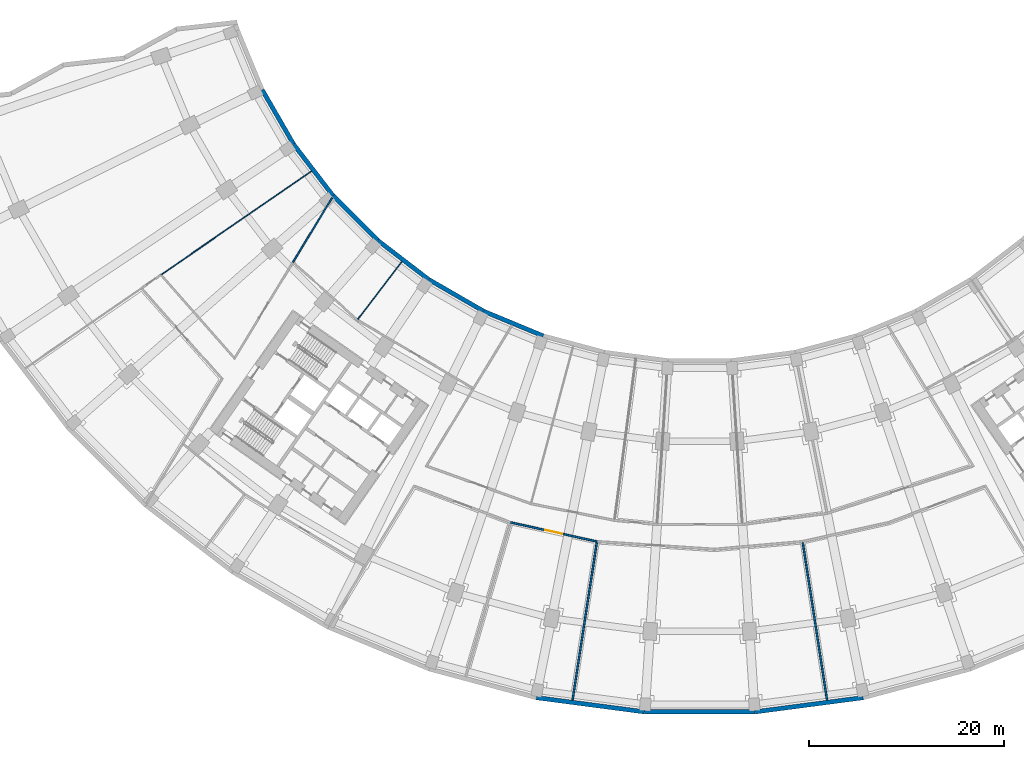
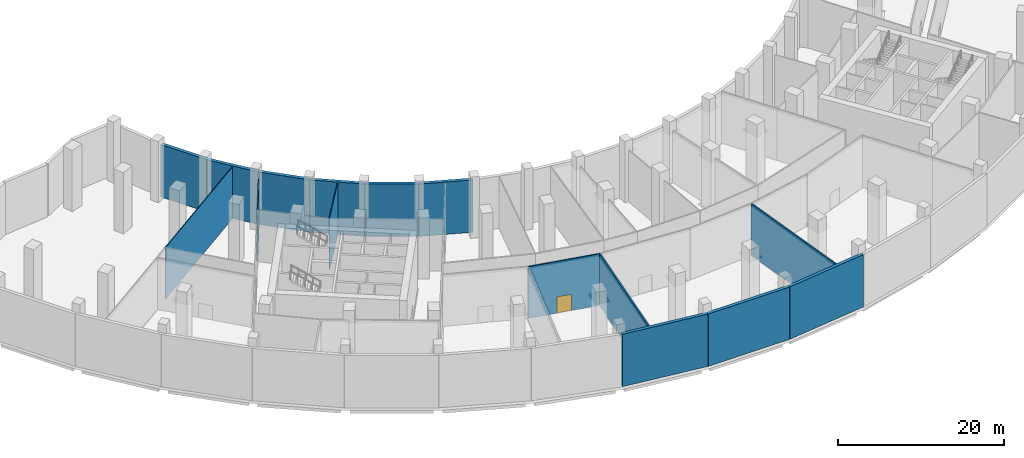
# One storey, part 7 of 17: 15 walls, 1 door, 1 opening.
"""IFC4 building model written with IfcOpenShell, lengths in metres."""

from ifc_helpers import new_model, si_unit, direction, frame, frame_2d, origin, place, context, subcontext, project, spatial, rectangle, extrude, material, layer, layer_set, type_object, element, fill, save


model = new_model("IFC4")

# Units and contexts
model_context = context("Model", 3, precision=1e-05, world=origin(), true_north=direction((0.0, 1.0)))
body_context = subcontext(model_context, "Body", "Model", "MODEL_VIEW")
ifc_project = project(units=[si_unit("LENGTHUNIT", "METRE"), si_unit("AREAUNIT", "SQUARE_METRE"), si_unit("VOLUMEUNIT", "CUBIC_METRE"), si_unit("PLANEANGLEUNIT", "RADIAN"), si_unit("MASSUNIT", "GRAM", prefix="KILO")], contexts=[model_context])

# Site, building, storey
site_placement = place(None, origin())
site = spatial("IfcSite", under=ifc_project, at=site_placement, CompositionType="ELEMENT")
building_placement = place(site_placement, origin())
building = spatial("IfcBuilding", under=site, at=building_placement, Name="Qamariyya Broadcast Tower", CompositionType="ELEMENT")
storey_placement = place(building_placement, frame((0.0, 0.0, 18.0)))
storey = spatial("IfcBuildingStorey", under=building, at=storey_placement, Name="L02", CompositionType="ELEMENT", Elevation=18.0)

# Walls
ifc_material_1 = material(Name="Gypsum board partition")
ifc_layer_1 = layer(ifc_material_1, 0.14990234375)
ifc_layer_set_1 = layer_set([ifc_layer_1], Name="Corridor partition 150 EI 60")
wall_type_1 = type_object("IfcWallType", Name="Corridor partition 150 EI 60", PredefinedType="PARTITIONING", material=ifc_layer_set_1)
wall_1_placement = place(storey_placement, frame((-37.6376953125, -33.18701171875, 0.0), z_axis=(0.0, 0.0, 1.0), x_axis=(-0.519163683086, -0.854674833, 0.0)))
element("IfcWall", 1, at=wall_1_placement, inside=storey, type_object=wall_type_1, Name="Partition L02-013", PredefinedType="PARTITIONING", context=body_context, shape_type="SweptSolid", body=[
    extrude(rectangle(XDim=7.724853515625, YDim=0.14990234375, at=frame_2d((3.8623046875, 0.0))), origin(), (0.0, 0.0, 1.0), 7.60009765625),
])
ifc_layer_2 = layer(ifc_material_1, 0.10009765625)
ifc_layer_set_2 = layer_set([ifc_layer_2], Name="Partition 100")
wall_type_2 = type_object("IfcWallType", Name="Partition 100", PredefinedType="PARTITIONING", material=ifc_layer_set_2)
wall_2_placement = place(storey_placement, frame((-55.178955078125, -41.09423828125, 0.0), z_axis=(0.0, 0.0, 1.0), x_axis=(0.823687587854, 0.56704387627, 0.0)))
element("IfcWall", 2, at=wall_2_placement, inside=storey, type_object=wall_type_2, Name="Partition L02-003", PredefinedType="PARTITIONING", context=body_context, shape_type="SweptSolid", body=[
    extrude(rectangle(XDim=18.72509765625, YDim=0.10009765625, at=frame_2d((9.362548828125, 0.0))), origin(), (0.0, 0.0, 1.0), 7.60009765625),
])
wall_3_placement = place(storey_placement, frame((-30.494873046875, -39.741943359375, 0.0), z_axis=(0.0, 0.0, 1.0), x_axis=(-0.60877839598, -0.793340320788, 0.0)))
element("IfcWall", 3, at=wall_3_placement, inside=storey, type_object=wall_type_2, Name="Partition L02-016", PredefinedType="PARTITIONING", context=body_context, shape_type="SweptSolid", body=[
    extrude(rectangle(XDim=7.431640625, YDim=0.10009765625, at=frame_2d((3.7158203125, 0.0))), origin(), (0.0, 0.0, 1.0), 7.60009765625),
])
ifc_material_2 = material(Name="Precast concrete C40/50 with terracotta facing", Category="masonry")
ifc_layer_3 = layer(ifc_material_2, 0.449951171875)
ifc_layer_set_3 = layer_set([ifc_layer_3], Name="Precast concrete C40/50 wall 450, terracotta faced")
wall_type_3 = type_object("IfcWallType", Name="Precast concrete C40/50 wall 450, terracotta faced", PredefinedType="SOLIDWALL", material=ifc_layer_set_3)
wall_4_placement = place(storey_placement, frame((-41.58251953125, -27.7138671875, 0.0), z_axis=(0.0, 0.0, 1.0), x_axis=(-0.50000447882, 0.866022817921, 0.0)))
element("IfcWall", 4, at=wall_4_placement, inside=storey, type_object=wall_type_3, Name="e-wl-L02-in20", PredefinedType="SOLIDWALL", context=body_context, shape_type="SweptSolid", body=[
    extrude(rectangle(XDim=6.41943359375, YDim=0.449951171875, at=frame_2d((3.209716796875, 0.0))), origin(), (0.0, 0.0, 1.0), 7.699951171875),
])
wall_5_placement = place(storey_placement, frame((-37.55517578125, -32.974853515625, 0.0), z_axis=(0.0, 0.0, 1.0), x_axis=(-0.608780327927, 0.793338838284, 0.0)))
element("IfcWall", 5, at=wall_5_placement, inside=storey, type_object=wall_type_3, Name="e-wl-L02-in30", PredefinedType="SOLIDWALL", context=body_context, shape_type="SweptSolid", body=[
    extrude(rectangle(XDim=6.596923828125, YDim=0.449951171875, at=frame_2d((3.29833984375, 0.0))), origin(), (0.0, 0.0, 1.0), 7.699951171875),
])
wall_6_placement = place(storey_placement, frame((-32.992919921875, -37.531982421875, 0.0), z_axis=(0.0, 0.0, 1.0), x_axis=(-0.707106781187, 0.707106781187, 0.0)))
element("IfcWall", 6, at=wall_6_placement, inside=storey, type_object=wall_type_3, Name="e-wl-L02-in40", PredefinedType="SOLIDWALL", context=body_context, shape_type="SweptSolid", body=[
    extrude(rectangle(XDim=6.419189453125, YDim=0.449951171875, at=frame_2d((3.20947265625, 0.0))), origin(), (0.0, 0.0, 1.0), 7.699951171875),
])
wall_7_placement = place(storey_placement, frame((-27.7412109375, -41.5712890625, 0.0), z_axis=(0.0, 0.0, 1.0), x_axis=(-0.793338838284, 0.608780327927, 0.0)))
element("IfcWall", 7, at=wall_7_placement, inside=storey, type_object=wall_type_3, Name="e-wl-L02-in50", PredefinedType="SOLIDWALL", context=body_context, shape_type="SweptSolid", body=[
    extrude(rectangle(XDim=6.596923828125, YDim=0.449951171875, at=frame_2d((3.29833984375, 0.0))), origin(), (0.0, 0.0, 1.0), 7.699951171875),
])
wall_8_placement = place(storey_placement, frame((-22.154541015625, -44.792236328125, 0.0), z_axis=(0.0, 0.0, 1.0), x_axis=(-0.866022817921, 0.50000447882, 0.0)))
element("IfcWall", 8, at=wall_8_placement, inside=storey, type_object=wall_type_3, Name="e-wl-L02-in60", PredefinedType="SOLIDWALL", context=body_context, shape_type="SweptSolid", body=[
    extrude(rectangle(XDim=6.41943359375, YDim=0.449951171875, at=frame_2d((3.209716796875, 0.0))), origin(), (0.0, 0.0, 1.0), 7.699951171875),
])
wall_9_placement = place(storey_placement, frame((-16.036376953125, -47.334716796875, 0.0), z_axis=(0.0, 0.0, 1.0), x_axis=(-0.923877459804, 0.382688436284, 0.0)))
element("IfcWall", 9, at=wall_9_placement, inside=storey, type_object=wall_type_3, Name="e-wl-L02-in70", PredefinedType="SOLIDWALL", context=body_context, shape_type="SweptSolid", body=[
    extrude(rectangle(XDim=6.59716796875, YDim=0.449951171875, at=frame_2d((3.298583984375, 0.0))), origin(), (0.0, 0.0, 1.0), 7.699951171875),
])
wall_10_placement = place(storey_placement, frame((-5.65625, -85.84033203125, 0.0), z_axis=(0.0, 0.0, 1.0), x_axis=(1.0, 0.0, 0.0)))
element("IfcWall", 10, at=wall_10_placement, inside=storey, type_object=wall_type_3, Name="e-wl-L02-out100", PredefinedType="SOLIDWALL", context=body_context, shape_type="SweptSolid", body=[
    extrude(rectangle(XDim=11.3125, YDim=0.449951171875, at=frame_2d((5.65625, 0.0))), origin(), (0.0, 0.0, 1.0), 7.699951171875),
])
for number, where, z_axis, x_axis, name in (
    (11, (5.684814453125, -85.83251953125, 0.0), (0.0, 0.0, 1.0), (0.991447502826, 0.130506126829, 0.0), "e-wl-L02-out110"),
    (12, (-16.72412109375, -84.37939453125, 0.0), (0.0, 0.0, 1.0), (0.991447502826, -0.130506126829, 0.0), "e-wl-L02-out90"),
):
    element("IfcWall", number, at=place(storey_placement, frame(where, z_axis=z_axis, x_axis=x_axis)), inside=storey, type_object=wall_type_3, Name=name, PredefinedType="SOLIDWALL", context=body_context, shape_type="SweptSolid", body=[
        extrude(rectangle(XDim=11.134521484375, YDim=0.449951171875, at=frame_2d((5.5673828125, 0.0))), origin(), (0.0, 0.0, 1.0), 7.699951171875),
    ])

# Wall, opening, door
ifc_layer_4 = layer(ifc_material_1, 0.179931640625)
ifc_layer_set_4 = layer_set([ifc_layer_4], Name="Studio acoustic partition 180 EI 60")
wall_type_4 = type_object("IfcWallType", Name="Studio acoustic partition 180 EI 60", PredefinedType="PARTITIONING", material=ifc_layer_set_4)
wall_11_placement = place(storey_placement, frame((-10.52880859375, -68.394287109375, 0.0), z_axis=(0.0, 0.0, 1.0), x_axis=(-0.976288493125, 0.216473504595, 0.0)))
wall_11 = element("IfcWall", 13, at=wall_11_placement, inside=storey, type_object=wall_type_4, Name="Partition L02-022", PredefinedType="PARTITIONING", context=body_context, shape_type="SweptSolid", body=[
    extrude(rectangle(XDim=9.0517578125, YDim=0.179931640625, at=frame_2d((4.52587890625, 0.0))), origin(), (0.0, 0.0, 1.0), 7.60009765625),
])
opening_placement = place(wall_11_placement, frame((3.6259765625, 0.0, 0.0)))
opening = element("IfcOpeningElement", 14, at=opening_placement, cuts=wall_11, Name="Opening L02-D02", PredefinedType="OPENING", context=body_context, shape_type="SweptSolid", body=[
    extrude(rectangle(XDim=1.800048828125, YDim=2.39990234375, at=frame_2d((0.89990234375, 1.199951171875))), frame((0.0, 0.099853515625, 0.0), z_axis=(0.0, -1.0, 0.0), x_axis=(1.0, 0.0, 0.0)), (0.0, 0.0, 1.0), 0.199951171875),
])
ifc_material_3 = material(Name="Acoustic timber door leaf", Category="wood")
door_type = type_object("IfcDoorType", Name="Studio double door 1800 x 2400 FD60", OperationType="NOTDEFINED", PredefinedType="DOOR", material=ifc_material_3)
door_placement = place(opening_placement, origin())
door = element("IfcDoor", 15, at=door_placement, inside=storey, type_object=door_type, Name="Door L02-D02", OperationType="DOUBLE_DOOR_SINGLE_SWING", OverallHeight=2.39990234375, OverallWidth=1.800048828125, PredefinedType="DOOR", context=body_context, shape_type="SweptSolid", body=[
    extrude(rectangle(XDim=1.800048828125, YDim=2.39990234375, at=frame_2d((0.89990234375, 1.199951171875))), frame((0.0, 0.02490234375, 0.0), z_axis=(0.0, -1.0, 0.0), x_axis=(1.0, 0.0, 0.0)), (0.0, 0.0, 1.0), 0.050048828125),
])
fill(opening, door)

# Walls
for number, where, z_axis, x_axis, name in (
    (16, (-13.029541015625, -84.638916015625, 0.0), (0.0, 0.0, 1.0), (0.152152583727, 0.988357016096, 0.0), "Partition L02-025"),
    (17, (13.029541015625, -84.638916015625, 0.0), (0.0, 0.0, 1.0), (-0.152152583727, 0.988357016096, 0.0), "Partition L02-038"),
):
    element("IfcWall", number, at=place(storey_placement, frame(where, z_axis=z_axis, x_axis=x_axis)), inside=storey, type_object=wall_type_4, Name=name, PredefinedType="PARTITIONING", context=body_context, shape_type="SweptSolid", body=[
        extrude(rectangle(XDim=16.345947265625, YDim=0.179931640625, at=frame_2d((8.1728515625, 0.0))), origin(), (0.0, 0.0, 1.0), 7.60009765625),
    ])

save(model, "model.ifc")
